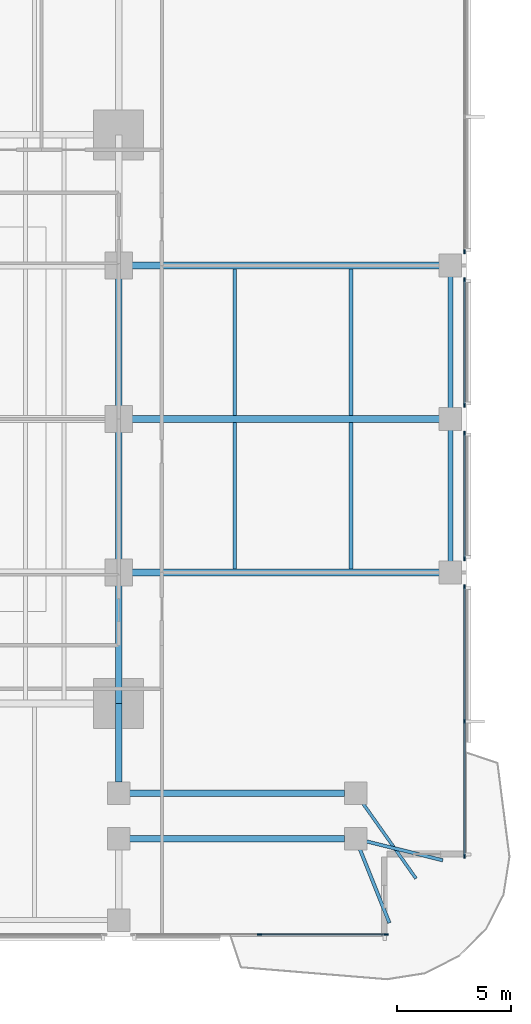
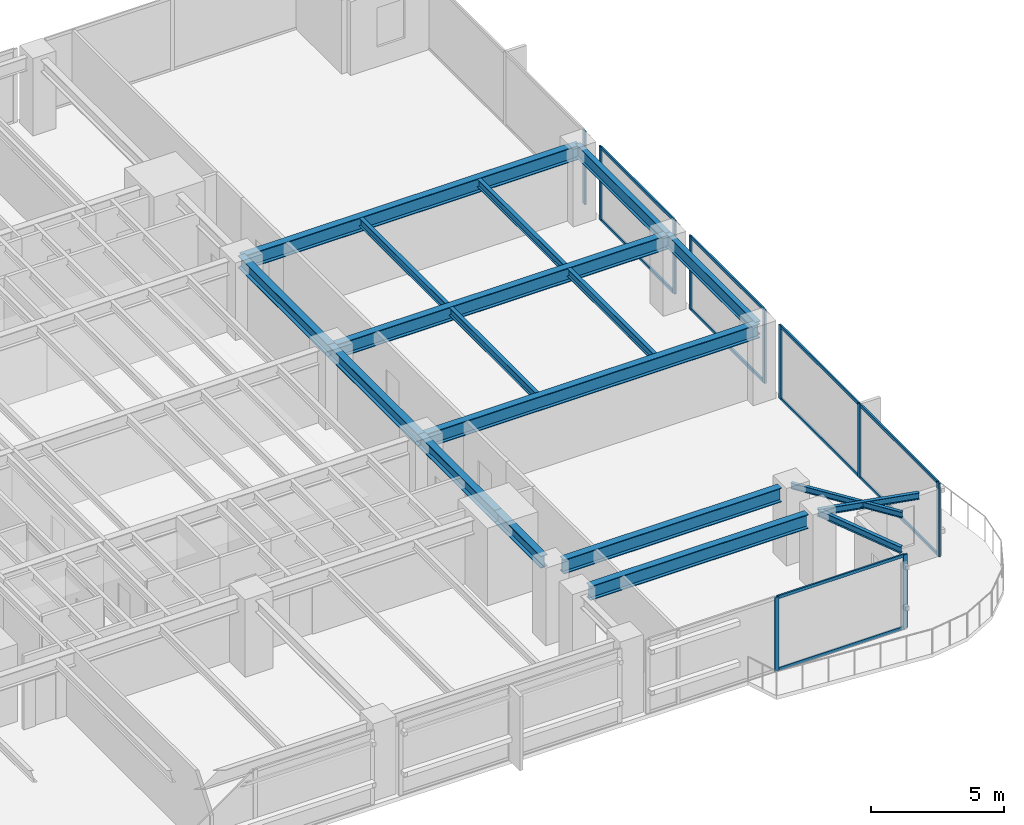
# One storey, part 4 of 15: 20 members, 18 beams, 5 elements without a shape of their own.
"""IFC4 building model written with IfcOpenShell, lengths in metres."""

from ifc_helpers import new_model, si_unit, direction, frame, origin, origin_2d, place, context, subcontext, project, spatial, rectangle, i_section, extrude, material, layer, layer_set, material_profile, profile_set, type_object, element, aggregate, save


model = new_model("IFC4")

# Units and contexts
model_context = context("Model", 3, precision=1e-05, world=origin(), true_north=direction((0.0, 1.0)))
body_context = subcontext(model_context, "Body", "Model", "MODEL_VIEW")
ifc_project = project(units=[si_unit("LENGTHUNIT", "METRE"), si_unit("AREAUNIT", "SQUARE_METRE"), si_unit("VOLUMEUNIT", "CUBIC_METRE"), si_unit("PLANEANGLEUNIT", "RADIAN"), si_unit("MASSUNIT", "GRAM", prefix="KILO")], contexts=[model_context])

# Site, building, storey
site_placement = place(None, origin())
site = spatial("IfcSite", under=ifc_project, at=site_placement, CompositionType="ELEMENT")
building_placement = place(site_placement, origin())
building = spatial("IfcBuilding", under=site, at=building_placement, Name="Kinhvarn Gate Tower", CompositionType="ELEMENT")
storey_placement = place(building_placement, frame((0.0, 0.0, 46.89990234375)))
storey = spatial("IfcBuildingStorey", under=building, at=storey_placement, Name="L11", CompositionType="ELEMENT", Elevation=46.89990234375)

# Curtain wall, members
ifc_material_1 = material(Name="Anodised aluminium AW-6063", Category="aluminium")
ifc_layer = layer(ifc_material_1, 0.179931640625)
ifc_layer_set = layer_set([ifc_layer], Name="Anodised aluminium AW-6063")
curtain_wall_type = type_object("IfcCurtainWallType", Name="CW-SYS-2", PredefinedType="NOTDEFINED", material=ifc_layer_set)
curtain_wall_1_placement = place(storey_placement, origin())
curtain_wall_1 = element("IfcCurtainWall", 1, at=curtain_wall_1_placement, inside=storey, type_object=curtain_wall_type, Name="Curtain Wall CW2 (L11)", PredefinedType="NOTDEFINED")
ifc_material_profile_1 = material_profile(ifc_material_1, rectangle(XDim=0.070068359375, YDim=0.179931640625, at=origin_2d()), Name="ALU 70x180")
ifc_profile_set_1 = profile_set([ifc_material_profile_1], Name="Anodised aluminium AW-6063")
member_type_1 = type_object("IfcMemberType", Name="CW-MUL-180", PredefinedType="MULLION", material=ifc_profile_set_1)
member_1_placement = place(storey_placement, frame((44.389892578125, 2.590087890625, 0.0), z_axis=(0.0, 0.0, 1.0), x_axis=(0.0, 1.0, 0.0)))
member_1 = element("IfcMember", 2, at=member_1_placement, type_object=member_type_1, Name="CW2 mullion 2", PredefinedType="MULLION", context=body_context, shape_type="SweptSolid", body=[
    extrude(rectangle(XDim=0.070068359375, YDim=0.179931640625, at=origin_2d()), origin(), (0.0, 0.0, 1.0), 3.3701171875),
])
member_2_placement = place(storey_placement, frame((49.965087890625, 2.590087890625, 0.0), z_axis=(0.0, 0.0, 1.0), x_axis=(0.0, 1.0, 0.0)))
member_2 = element("IfcMember", 3, at=member_2_placement, type_object=member_type_1, Name="CW2 mullion 3", PredefinedType="MULLION", context=body_context, shape_type="SweptSolid", body=[
    extrude(rectangle(XDim=0.070068359375, YDim=0.179931640625, at=origin_2d()), origin(), (0.0, 0.0, 1.0), 3.3701171875),
])

curtain_wall_2_placement = place(storey_placement, origin())
curtain_wall_2 = element("IfcCurtainWall", 4, at=curtain_wall_2_placement, inside=storey, type_object=curtain_wall_type, Name="Curtain Wall CW2 (L11)", PredefinedType="NOTDEFINED")
member_3_placement = place(storey_placement, frame((53.409912109375, 6.034912109375, 0.0), z_axis=(0.0, 0.0, 1.0), x_axis=(-1.0, 0.0, 0.0)))
member_3 = element("IfcMember", 5, at=member_3_placement, type_object=member_type_1, Name="CW2 mullion 1", PredefinedType="MULLION", context=body_context, shape_type="SweptSolid", body=[
    extrude(rectangle(XDim=0.070068359375, YDim=0.179931640625, at=origin_2d()), origin(), (0.0, 0.0, 1.0), 3.3701171875),
])
member_4_placement = place(storey_placement, frame((53.409912109375, 11.9599609375, 0.0), z_axis=(0.0, 0.0, 1.0), x_axis=(-1.0, 0.0, 0.0)))
member_4 = element("IfcMember", 6, at=member_4_placement, type_object=member_type_1, Name="CW2 mullion 2", PredefinedType="MULLION", context=body_context, shape_type="SweptSolid", body=[
    extrude(rectangle(XDim=0.070068359375, YDim=0.179931640625, at=origin_2d()), origin(), (0.0, 0.0, 1.0), 3.3701171875),
])
member_5_placement = place(storey_placement, frame((53.409912109375, 17.885009765625, 0.0), z_axis=(0.0, 0.0, 1.0), x_axis=(-1.0, 0.0, 0.0)))
member_5 = element("IfcMember", 7, at=member_5_placement, type_object=member_type_1, Name="CW2 mullion 3", PredefinedType="MULLION", context=body_context, shape_type="SweptSolid", body=[
    extrude(rectangle(XDim=0.070068359375, YDim=0.179931640625, at=origin_2d()), origin(), (0.0, 0.0, 1.0), 3.3701171875),
])

curtain_wall_3_placement = place(storey_placement, origin())
curtain_wall_3 = element("IfcCurtainWall", 8, at=curtain_wall_3_placement, inside=storey, type_object=curtain_wall_type, Name="Curtain Wall CW2 (L11)", PredefinedType="NOTDEFINED")
member_6_placement = place(storey_placement, frame((53.409912109375, 19.114990234375, 0.0), z_axis=(0.0, 0.0, 1.0), x_axis=(-1.0, 0.0, 0.0)))
member_6 = element("IfcMember", 9, at=member_6_placement, type_object=member_type_1, Name="CW2 mullion 1", PredefinedType="MULLION", context=body_context, shape_type="SweptSolid", body=[
    extrude(rectangle(XDim=0.070068359375, YDim=0.179931640625, at=origin_2d()), origin(), (0.0, 0.0, 1.0), 3.3701171875),
])
member_7_placement = place(storey_placement, frame((53.409912109375, 24.635009765625, 0.0), z_axis=(0.0, 0.0, 1.0), x_axis=(-1.0, 0.0, 0.0)))
member_7 = element("IfcMember", 10, at=member_7_placement, type_object=member_type_1, Name="CW2 mullion 2", PredefinedType="MULLION", context=body_context, shape_type="SweptSolid", body=[
    extrude(rectangle(XDim=0.070068359375, YDim=0.179931640625, at=origin_2d()), origin(), (0.0, 0.0, 1.0), 3.3701171875),
])

curtain_wall_4_placement = place(storey_placement, origin())
curtain_wall_4 = element("IfcCurtainWall", 11, at=curtain_wall_4_placement, inside=storey, type_object=curtain_wall_type, Name="Curtain Wall CW2 (L11)", PredefinedType="NOTDEFINED")
member_8_placement = place(storey_placement, frame((53.409912109375, 25.864990234375, 0.0), z_axis=(0.0, 0.0, 1.0), x_axis=(-1.0, 0.0, 0.0)))
member_8 = element("IfcMember", 12, at=member_8_placement, type_object=member_type_1, Name="CW2 mullion 1", PredefinedType="MULLION", context=body_context, shape_type="SweptSolid", body=[
    extrude(rectangle(XDim=0.070068359375, YDim=0.179931640625, at=origin_2d()), origin(), (0.0, 0.0, 1.0), 3.3701171875),
])
member_9_placement = place(storey_placement, frame((53.409912109375, 31.385009765625, 0.0), z_axis=(0.0, 0.0, 1.0), x_axis=(-1.0, 0.0, 0.0)))
member_9 = element("IfcMember", 13, at=member_9_placement, type_object=member_type_1, Name="CW2 mullion 2", PredefinedType="MULLION", context=body_context, shape_type="SweptSolid", body=[
    extrude(rectangle(XDim=0.070068359375, YDim=0.179931640625, at=origin_2d()), origin(), (0.0, 0.0, 1.0), 3.3701171875),
])

# Curtain wall, member
curtain_wall_5_placement = place(storey_placement, origin())
curtain_wall_5 = element("IfcCurtainWall", 14, at=curtain_wall_5_placement, inside=storey, type_object=curtain_wall_type, Name="Curtain Wall CW2 (L11)", PredefinedType="NOTDEFINED")
member_10_placement = place(storey_placement, frame((53.409912109375, 32.614990234375, 0.0), z_axis=(0.0, 0.0, 1.0), x_axis=(-1.0, 0.0, 0.0)))
member_10 = element("IfcMember", 15, at=member_10_placement, type_object=member_type_1, Name="CW2 mullion 1", PredefinedType="MULLION", context=body_context, shape_type="SweptSolid", body=[
    extrude(rectangle(XDim=0.070068359375, YDim=0.179931640625, at=origin_2d()), origin(), (0.0, 0.0, 1.0), 3.3701171875),
])
aggregate(curtain_wall_5, [member_10])

# Member
ifc_material_profile_2 = material_profile(ifc_material_1, rectangle(XDim=0.070068359375, YDim=0.139892578125, at=origin_2d()), Name="ALU 70x140")
ifc_profile_set_2 = profile_set([ifc_material_profile_2], Name="Anodised aluminium AW-6063")
member_type_2 = type_object("IfcMemberType", Name="CW-TRN-140", PredefinedType="USERDEFINED", material=ifc_profile_set_2)
member_11_placement = place(storey_placement, frame((44.425048828125, 2.590087890625, 0.03515625), z_axis=(1.0, 0.0, 0.0), x_axis=(0.0, 1.0, 0.0)))
member_11 = element("IfcMember", 16, at=member_11_placement, type_object=member_type_2, Name="CW2 transom 2.1", ObjectType="TRANSOM", PredefinedType="USERDEFINED", context=body_context, shape_type="SweptSolid", body=[
    extrude(rectangle(XDim=0.070068359375, YDim=0.139892578125, at=origin_2d()), origin(), (0.0, 0.0, 1.0), 5.5048828125),
])

member_12_placement = place(storey_placement, frame((44.425048828125, 2.590087890625, 3.335205078125), z_axis=(1.0, 0.0, 0.0), x_axis=(0.0, 1.0, 0.0)))
member_12 = element("IfcMember", 17, at=member_12_placement, type_object=member_type_2, Name="CW2 transom 2.2", ObjectType="TRANSOM", PredefinedType="USERDEFINED", context=body_context, shape_type="SweptSolid", body=[
    extrude(rectangle(XDim=0.070068359375, YDim=0.139892578125, at=origin_2d()), origin(), (0.0, 0.0, 1.0), 5.5048828125),
])

aggregate(curtain_wall_1, [member_1, member_2, member_11, member_12])

member_13_placement = place(storey_placement, frame((53.409912109375, 6.070068359375, 0.03515625), z_axis=(0.0, 1.0, 0.0), x_axis=(-1.0, 0.0, 0.0)))
member_13 = element("IfcMember", 18, at=member_13_placement, type_object=member_type_2, Name="CW2 transom 1.1", ObjectType="TRANSOM", PredefinedType="USERDEFINED", context=body_context, shape_type="SweptSolid", body=[
    extrude(rectangle(XDim=0.070068359375, YDim=0.139892578125, at=origin_2d()), origin(), (0.0, 0.0, 1.0), 5.85498046875),
])

member_14_placement = place(storey_placement, frame((53.409912109375, 6.070068359375, 3.335205078125), z_axis=(0.0, 1.0, 0.0), x_axis=(-1.0, 0.0, 0.0)))
member_14 = element("IfcMember", 19, at=member_14_placement, type_object=member_type_2, Name="CW2 transom 1.2", ObjectType="TRANSOM", PredefinedType="USERDEFINED", context=body_context, shape_type="SweptSolid", body=[
    extrude(rectangle(XDim=0.070068359375, YDim=0.139892578125, at=origin_2d()), origin(), (0.0, 0.0, 1.0), 5.85498046875),
])

member_15_placement = place(storey_placement, frame((53.409912109375, 11.9951171875, 0.03515625), z_axis=(0.0, 1.0, 0.0), x_axis=(-1.0, 0.0, 0.0)))
member_15 = element("IfcMember", 20, at=member_15_placement, type_object=member_type_2, Name="CW2 transom 2.1", ObjectType="TRANSOM", PredefinedType="USERDEFINED", context=body_context, shape_type="SweptSolid", body=[
    extrude(rectangle(XDim=0.070068359375, YDim=0.139892578125, at=origin_2d()), origin(), (0.0, 0.0, 1.0), 5.85498046875),
])

member_16_placement = place(storey_placement, frame((53.409912109375, 11.9951171875, 3.335205078125), z_axis=(0.0, 1.0, 0.0), x_axis=(-1.0, 0.0, 0.0)))
member_16 = element("IfcMember", 21, at=member_16_placement, type_object=member_type_2, Name="CW2 transom 2.2", ObjectType="TRANSOM", PredefinedType="USERDEFINED", context=body_context, shape_type="SweptSolid", body=[
    extrude(rectangle(XDim=0.070068359375, YDim=0.139892578125, at=origin_2d()), origin(), (0.0, 0.0, 1.0), 5.85498046875),
])

aggregate(curtain_wall_2, [member_3, member_4, member_5, member_13, member_14, member_15, member_16])

member_17_placement = place(storey_placement, frame((53.409912109375, 19.14990234375, 0.03515625), z_axis=(0.0, 1.0, 0.0), x_axis=(-1.0, 0.0, 0.0)))
member_17 = element("IfcMember", 22, at=member_17_placement, type_object=member_type_2, Name="CW2 transom 1.1", ObjectType="TRANSOM", PredefinedType="USERDEFINED", context=body_context, shape_type="SweptSolid", body=[
    extrude(rectangle(XDim=0.070068359375, YDim=0.139892578125, at=origin_2d()), origin(), (0.0, 0.0, 1.0), 5.4501953125),
])

member_18_placement = place(storey_placement, frame((53.409912109375, 19.14990234375, 3.335205078125), z_axis=(0.0, 1.0, 0.0), x_axis=(-1.0, 0.0, 0.0)))
member_18 = element("IfcMember", 23, at=member_18_placement, type_object=member_type_2, Name="CW2 transom 1.2", ObjectType="TRANSOM", PredefinedType="USERDEFINED", context=body_context, shape_type="SweptSolid", body=[
    extrude(rectangle(XDim=0.070068359375, YDim=0.139892578125, at=origin_2d()), origin(), (0.0, 0.0, 1.0), 5.4501953125),
])

aggregate(curtain_wall_3, [member_6, member_7, member_17, member_18])

member_19_placement = place(storey_placement, frame((53.409912109375, 25.89990234375, 0.03515625), z_axis=(0.0, 1.0, 0.0), x_axis=(-1.0, 0.0, 0.0)))
member_19 = element("IfcMember", 24, at=member_19_placement, type_object=member_type_2, Name="CW2 transom 1.1", ObjectType="TRANSOM", PredefinedType="USERDEFINED", context=body_context, shape_type="SweptSolid", body=[
    extrude(rectangle(XDim=0.070068359375, YDim=0.139892578125, at=origin_2d()), origin(), (0.0, 0.0, 1.0), 5.4501953125),
])

member_20_placement = place(storey_placement, frame((53.409912109375, 25.89990234375, 3.335205078125), z_axis=(0.0, 1.0, 0.0), x_axis=(-1.0, 0.0, 0.0)))
member_20 = element("IfcMember", 25, at=member_20_placement, type_object=member_type_2, Name="CW2 transom 1.2", ObjectType="TRANSOM", PredefinedType="USERDEFINED", context=body_context, shape_type="SweptSolid", body=[
    extrude(rectangle(XDim=0.070068359375, YDim=0.139892578125, at=origin_2d()), origin(), (0.0, 0.0, 1.0), 5.4501953125),
])

aggregate(curtain_wall_4, [member_8, member_9, member_19, member_20])

# Beams
ifc_material_2 = material(Name="Steel S355", Category="steel")
ifc_material_profile_3 = material_profile(ifc_material_2, i_section(OverallWidth=0.300048828125, OverallDepth=0.550048828125, WebThickness=0.014892578125, FlangeThickness=0.029052734375, at=origin_2d()), Name="HEB 550")
ifc_profile_set_3 = profile_set([ifc_material_profile_3], Name="Steel S355")
beam_type_1 = type_object("IfcBeamType", Name="STL-HEB550", PredefinedType="BEAM", material=ifc_profile_set_3)
beam_1_placement = place(storey_placement, frame((38.199951171875, 9.284912109375, 3.09521484375), z_axis=(0.0, 1.0, 0.0), x_axis=(-1.0, 0.0, 0.0)))
element("IfcBeam", 26, at=beam_1_placement, inside=storey, type_object=beam_type_1, Name="Floor Beam PG-15 (L11 MCE-S-A2)", PredefinedType="BEAM", context=body_context, shape_type="SweptSolid", body=[
    extrude(i_section(OverallWidth=0.300048828125, OverallDepth=0.550048828125, WebThickness=0.014892578125, FlangeThickness=0.029052734375, at=origin_2d()), origin(), (0.0, 0.0, 1.0), 3.465087890625),
])
beam_2_placement = place(storey_placement, frame((38.199951171875, 12.75, 3.09521484375), z_axis=(0.0, 1.0, 0.0), x_axis=(-1.0, 0.0, 0.0)))
element("IfcBeam", 27, at=beam_2_placement, inside=storey, type_object=beam_type_1, Name="Floor Beam PG-15 (L11 MG-E-12)", PredefinedType="BEAM", context=body_context, shape_type="SweptSolid", body=[
    extrude(i_section(OverallWidth=0.300048828125, OverallDepth=0.550048828125, WebThickness=0.014892578125, FlangeThickness=0.029052734375, at=origin_2d()), origin(), (0.0, 0.0, 1.0), 5.75),
])
for number, where, z_axis, x_axis, name in (
    (28, (38.199951171875, 18.5, 3.09521484375), (0.0, 1.0, 0.0), (-1.0, 0.0, 0.0), "Floor Beam PG-15 (L11 MG-E-18)"),
    (29, (38.199951171875, 25.25, 3.09521484375), (0.0, 1.0, 0.0), (-1.0, 0.0, 0.0), "Floor Beam PG-15 (L11 MG-E-25)"),
):
    element("IfcBeam", number, at=place(storey_placement, frame(where, z_axis=z_axis, x_axis=x_axis)), inside=storey, type_object=beam_type_1, Name=name, PredefinedType="BEAM", context=body_context, shape_type="SweptSolid", body=[
        extrude(i_section(OverallWidth=0.300048828125, OverallDepth=0.550048828125, WebThickness=0.014892578125, FlangeThickness=0.029052734375, at=origin_2d()), origin(), (0.0, 0.0, 1.0), 6.75),
    ])
ifc_material_profile_4 = material_profile(ifc_material_2, i_section(OverallWidth=0.300048828125, OverallDepth=0.64990234375, WebThickness=0.01611328125, FlangeThickness=0.031005859375, at=origin_2d()), Name="HEB 650")
ifc_profile_set_4 = profile_set([ifc_material_profile_4], Name="Steel S355")
beam_type_2 = type_object("IfcBeamType", Name="STL-HEB650", PredefinedType="BEAM", material=ifc_profile_set_4)
for number, where, z_axis, x_axis, name in (
    (30, (38.68505859375, 8.800048828125, 3.045166015625), (1.0, 0.0, 0.0), (0.0, 1.0, 0.0), "Floor Beam PG-17 (L11 SP-SE1B)"),
    (31, (38.68505859375, 6.800048828125, 3.045166015625), (1.0, 0.0, 0.0), (0.0, 1.0, 0.0), "Floor Beam PG-17 (L11 SP-SE1A)"),
):
    element("IfcBeam", number, at=place(storey_placement, frame(where, z_axis=z_axis, x_axis=x_axis)), inside=storey, type_object=beam_type_2, Name=name, PredefinedType="BEAM", context=body_context, shape_type="SweptSolid", body=[
        extrude(i_section(OverallWidth=0.300048828125, OverallDepth=0.64990234375, WebThickness=0.01611328125, FlangeThickness=0.031005859375, at=origin_2d()), origin(), (0.0, 0.0, 1.0), 9.449951171875),
    ])
for number, where, z_axis, x_axis, name in (
    (32, (38.199951171875, 18.5, 3.045166015625), (1.0, 0.0, 0.0), (0.0, 1.0, 0.0), "Floor Beam PG-17 (L11 EW2-Y18)"),
    (33, (38.199951171875, 25.25, 3.045166015625), (1.0, 0.0, 0.0), (0.0, 1.0, 0.0), "Floor Beam PG-17 (L11 EW2-Y25)"),
    (34, (38.199951171875, 32.0, 3.045166015625), (1.0, 0.0, 0.0), (0.0, 1.0, 0.0), "Floor Beam PG-17 (L11 EW2-Y32)"),
):
    element("IfcBeam", number, at=place(storey_placement, frame(where, z_axis=z_axis, x_axis=x_axis)), inside=storey, type_object=beam_type_2, Name=name, PredefinedType="BEAM", context=body_context, shape_type="SweptSolid", body=[
        extrude(i_section(OverallWidth=0.300048828125, OverallDepth=0.64990234375, WebThickness=0.01611328125, FlangeThickness=0.031005859375, at=origin_2d()), origin(), (0.0, 0.0, 1.0), 14.580078125),
    ])
ifc_material_profile_5 = material_profile(ifc_material_2, i_section(OverallWidth=0.135009765625, OverallDepth=0.27001953125, WebThickness=0.006591796875, FlangeThickness=0.01025390625, at=origin_2d()), Name="IPE 270")
ifc_profile_set_5 = profile_set([ifc_material_profile_5], Name="Steel S355")
beam_type_3 = type_object("IfcBeamType", Name="STL-IPE270", PredefinedType="JOIST", material=ifc_profile_set_5)
beam_3_placement = place(storey_placement, frame((48.6201171875, 8.800048828125, 3.235107421875), z_axis=(0.57709644225, -0.81667600451, 0.0), x_axis=(0.81667600451, 0.57709644225, 0.0)))
element("IfcBeam", 35, at=beam_3_placement, inside=storey, type_object=beam_type_3, Name="Floor Joist SB-01 (L11 BAL-B3-L12)", PredefinedType="JOIST", context=body_context, shape_type="SweptSolid", body=[
    extrude(i_section(OverallWidth=0.135009765625, OverallDepth=0.27001953125, WebThickness=0.006591796875, FlangeThickness=0.01025390625, at=origin_2d()), origin(), (0.0, 0.0, 1.0), 4.591796875),
])
ifc_material_profile_6 = material_profile(ifc_material_2, i_section(OverallWidth=0.14990234375, OverallDepth=0.300048828125, WebThickness=0.007080078125, FlangeThickness=0.0107421875, at=origin_2d()), Name="IPE 300")
ifc_profile_set_6 = profile_set([ifc_material_profile_6], Name="Steel S355")
beam_type_4 = type_object("IfcBeamType", Name="STL-IPE300", PredefinedType="JOIST", material=ifc_profile_set_6)
beam_4_placement = place(storey_placement, frame((48.6201171875, 6.800048828125, 3.22021484375), z_axis=(0.97058851083, -0.240744558911, 0.0), x_axis=(0.240744558911, 0.97058851083, 0.0)))
element("IfcBeam", 36, at=beam_4_placement, inside=storey, type_object=beam_type_4, Name="Floor Joist SB-02 (L11 BAL-B1-L12)", PredefinedType="JOIST", context=body_context, shape_type="SweptSolid", body=[
    extrude(i_section(OverallWidth=0.14990234375, OverallDepth=0.300048828125, WebThickness=0.007080078125, FlangeThickness=0.0107421875, at=origin_2d()), origin(), (0.0, 0.0, 1.0), 3.94580078125),
])
beam_5_placement = place(storey_placement, frame((48.6201171875, 6.800048828125, 3.22021484375), z_axis=(0.371390676354, -0.928476690885, 0.0), x_axis=(0.928476690885, 0.371390676354, 0.0)))
element("IfcBeam", 37, at=beam_5_placement, inside=storey, type_object=beam_type_4, Name="Floor Joist SB-02 (L11 BAL-B2-L12)", PredefinedType="JOIST", context=body_context, shape_type="SweptSolid", body=[
    extrude(i_section(OverallWidth=0.14990234375, OverallDepth=0.300048828125, WebThickness=0.007080078125, FlangeThickness=0.0107421875, at=origin_2d()), origin(), (0.0, 0.0, 1.0), 3.98486328125),
])
ifc_material_profile_7 = material_profile(ifc_material_2, i_section(OverallWidth=0.169921875, OverallDepth=0.360107421875, WebThickness=0.008056640625, FlangeThickness=0.0126953125, at=origin_2d()), Name="IPE 360")
ifc_profile_set_7 = profile_set([ifc_material_profile_7], Name="Steel S355")
beam_type_5 = type_object("IfcBeamType", Name="STL-IPE360", PredefinedType="JOIST", material=ifc_profile_set_7)
for number, where, z_axis, x_axis, name in (
    (38, (43.300048828125, 18.64990234375, 3.190185546875), (0.0, 1.0, 0.0), (-1.0, 0.0, 0.0), "Floor Joist SB-04 (L11 JC-X433-1)"),
    (39, (43.300048828125, 25.39990234375, 3.190185546875), (0.0, 1.0, 0.0), (-1.0, 0.0, 0.0), "Floor Joist SB-04 (L11 JC-X433-2)"),
    (40, (48.409912109375, 18.64990234375, 3.190185546875), (0.0, 1.0, 0.0), (-1.0, 0.0, 0.0), "Floor Joist SB-04 (L11 JC-X484-1)"),
    (41, (48.409912109375, 25.39990234375, 3.190185546875), (0.0, 1.0, 0.0), (-1.0, 0.0, 0.0), "Floor Joist SB-04 (L11 JC-X484-2)"),
):
    element("IfcBeam", number, at=place(storey_placement, frame(where, z_axis=z_axis, x_axis=x_axis)), inside=storey, type_object=beam_type_5, Name=name, PredefinedType="JOIST", context=body_context, shape_type="SweptSolid", body=[
        extrude(i_section(OverallWidth=0.169921875, OverallDepth=0.360107421875, WebThickness=0.008056640625, FlangeThickness=0.0126953125, at=origin_2d()), origin(), (0.0, 0.0, 1.0), 6.4501953125),
    ])
ifc_material_profile_8 = material_profile(ifc_material_2, i_section(OverallWidth=0.219970703125, OverallDepth=0.60009765625, WebThickness=0.011962890625, FlangeThickness=0.01904296875, at=origin_2d()), Name="IPE 600")
ifc_profile_set_8 = profile_set([ifc_material_profile_8], Name="Steel S355")
beam_type_6 = type_object("IfcBeamType", Name="STL-IPE600", PredefinedType="SPANDREL", material=ifc_profile_set_8)
for number, where, z_axis, x_axis, name in (
    (42, (52.780029296875, 18.5, 3.070068359375), (0.0, 1.0, 0.0), (-1.0, 0.0, 0.0), "Floor Spandrel SB-09 (L11 SP-E2)"),
    (43, (52.780029296875, 25.25, 3.070068359375), (0.0, 1.0, 0.0), (-1.0, 0.0, 0.0), "Floor Spandrel SB-09 (L11 SP-E3)"),
):
    element("IfcBeam", number, at=place(storey_placement, frame(where, z_axis=z_axis, x_axis=x_axis)), inside=storey, type_object=beam_type_6, Name=name, PredefinedType="SPANDREL", context=body_context, shape_type="SweptSolid", body=[
        extrude(i_section(OverallWidth=0.219970703125, OverallDepth=0.60009765625, WebThickness=0.011962890625, FlangeThickness=0.01904296875, at=origin_2d()), origin(), (0.0, 0.0, 1.0), 6.75),
    ])

save(model, "model.ifc")
